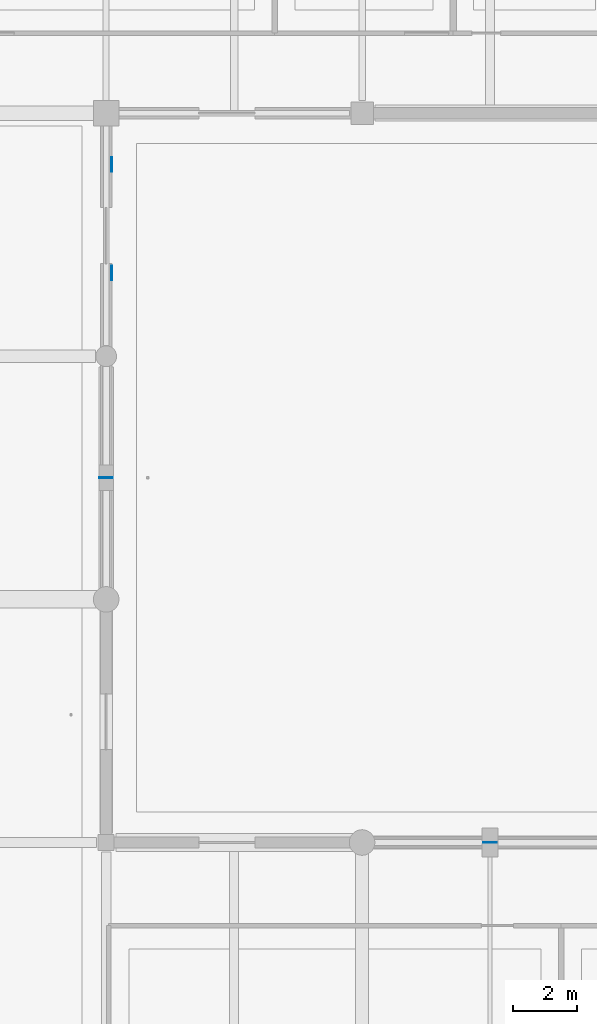
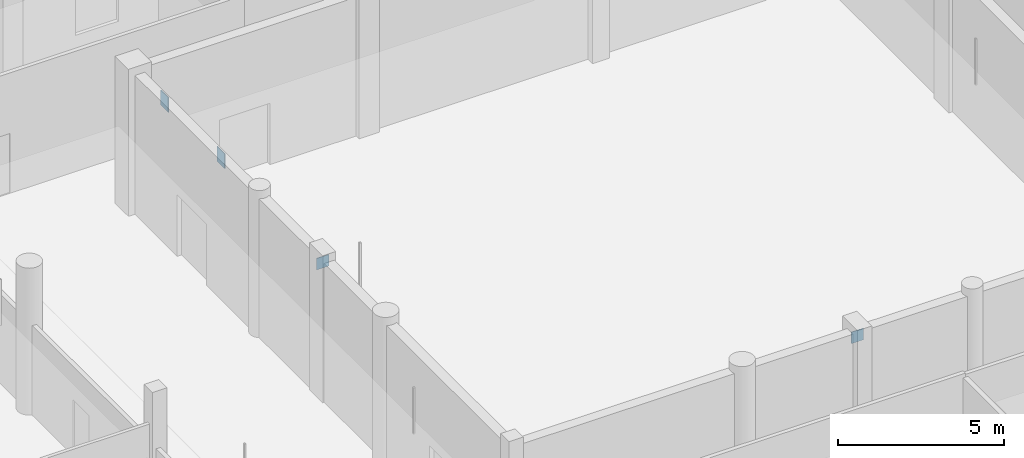
# One storey, part 56 of 126: 4 plates.
"""IFC4 building model written with IfcOpenShell, lengths in metres."""

from ifc_helpers import new_model, si_unit, direction, frame, origin, origin_2d, place, context, subcontext, project, spatial, rectangle, extrude, material, layer, layer_set, type_object, element, save


model = new_model("IFC4")

# Units and contexts
model_context = context("Model", 3, precision=1e-05, world=origin(), true_north=direction((0.0, 1.0)))
body_context = subcontext(model_context, "Body", "Model", "MODEL_VIEW")
ifc_project = project(units=[si_unit("LENGTHUNIT", "METRE"), si_unit("AREAUNIT", "SQUARE_METRE"), si_unit("VOLUMEUNIT", "CUBIC_METRE"), si_unit("PLANEANGLEUNIT", "RADIAN"), si_unit("MASSUNIT", "GRAM", prefix="KILO")], contexts=[model_context])

# Site, building, storey
site_placement = place(None, origin())
site = spatial("IfcSite", under=ifc_project, at=site_placement, CompositionType="ELEMENT")
building_placement = place(site_placement, origin())
building = spatial("IfcBuilding", under=site, at=building_placement, Name="Khelvaren Railside Concert Hall", CompositionType="ELEMENT")
storey_placement = place(building_placement, origin())
storey = spatial("IfcBuildingStorey", under=building, at=storey_placement, Name="L00", CompositionType="ELEMENT", Elevation=0.0)

# Plates
ifc_material = material(Name="Steel S355", Category="steel")
ifc_layer_1 = layer(ifc_material, 0.028076171875)
ifc_layer_set_1 = layer_set([ifc_layer_1], Name="Steel S355")
plate_type_1 = type_object("IfcPlateType", Name="GP71", PredefinedType="USERDEFINED", material=ifc_layer_set_1)
for number, where, z_axis, x_axis, name in (
    (1, (16.169921875, 101.39990234375, 4.48681640625), (0.0, 0.0, 1.0), (1.0, 0.0, 0.0), "Cast-In Shear Wall Raker Embedment Plate V4-L01-07"),
    (2, (16.169921875, 104.800048828125, 4.48681640625), (0.0, 0.0, 1.0), (1.0, 0.0, 0.0), "Cast-In Shear Wall Raker Embedment Plate V4-L01-08"),
):
    element("IfcPlate", number, at=place(storey_placement, frame(where, z_axis=z_axis, x_axis=x_axis)), inside=storey, type_object=plate_type_1, Name=name, ObjectType="GUSSET PLATE", PredefinedType="USERDEFINED", context=body_context, shape_type="SweptSolid", body=[
        extrude(rectangle(XDim=0.028076171875, YDim=0.449951171875, at=origin_2d()), origin(), (0.0, 0.0, 1.0), 0.550048828125),
    ])
ifc_layer_2 = layer(ifc_material, 0.02197265625)
ifc_layer_set_2 = layer_set([ifc_layer_2], Name="Steel S355")
plate_type_2 = type_object("IfcPlateType", Name="STP73", PredefinedType="USERDEFINED", material=ifc_layer_set_2)
for number, where, z_axis, x_axis, name in (
    (3, (16.0, 95.0, 4.64013671875), (0.0, 0.0, 1.0), (1.0, 0.0, 0.0), "V4 L00 Brace Apex Stiffener Plate 42"),
    (4, (28.0, 83.60009765625, 4.64013671875), (0.0, 0.0, 1.0), (1.0, 0.0, 0.0), "V4 L00 Brace Apex Stiffener Plate 46"),
):
    element("IfcPlate", number, at=place(storey_placement, frame(where, z_axis=z_axis, x_axis=x_axis)), inside=storey, type_object=plate_type_2, Name=name, ObjectType="STIFFENER PLATE", PredefinedType="USERDEFINED", context=body_context, shape_type="SweptSolid", body=[
        extrude(rectangle(XDim=0.419921875, YDim=0.02197265625, at=origin_2d()), origin(), (0.0, 0.0, 1.0), 0.419921875),
    ])

save(model, "model.ifc")
